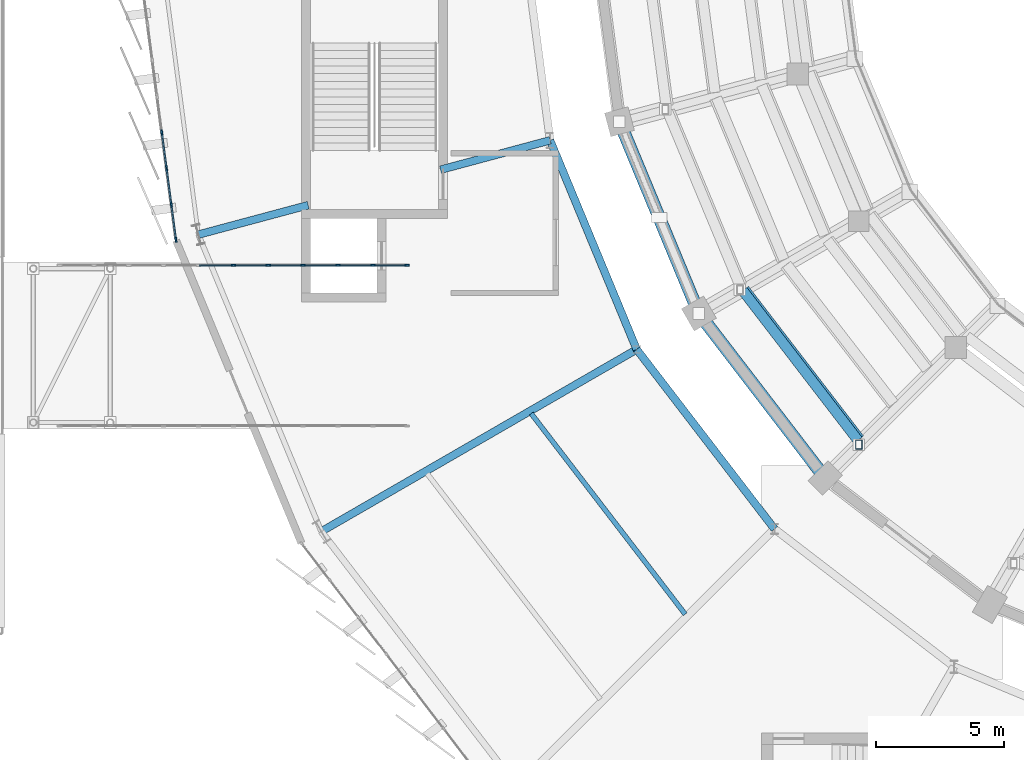
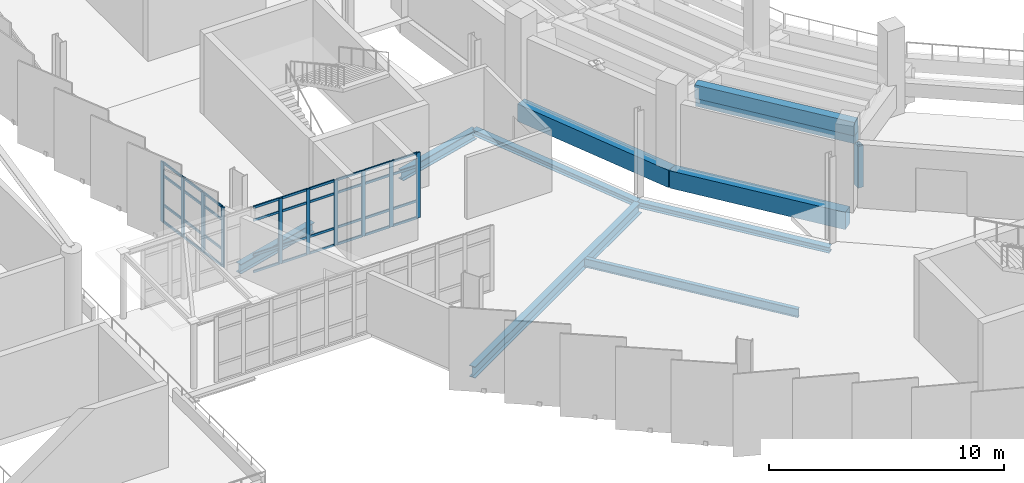
# One storey, part 29 of 120: 47 members, 10 beams, 2 elements without a shape of their own.
"""IFC4 building model written with IfcOpenShell, lengths in metres."""

from ifc_helpers import new_model, si_unit, direction, frame, origin, origin_2d, place, context, subcontext, project, spatial, rectangle, hollow_rectangle, i_section, extrude, material, layer, layer_set, material_profile, profile_set, type_object, element, aggregate, save


model = new_model("IFC4")

# Units and contexts
model_context = context("Model", 3, precision=1e-05, world=origin(), true_north=direction((0.0, 1.0)))
body_context = subcontext(model_context, "Body", "Model", "MODEL_VIEW")
ifc_project = project(units=[si_unit("LENGTHUNIT", "METRE"), si_unit("AREAUNIT", "SQUARE_METRE"), si_unit("VOLUMEUNIT", "CUBIC_METRE"), si_unit("PLANEANGLEUNIT", "RADIAN"), si_unit("MASSUNIT", "GRAM", prefix="KILO")], contexts=[model_context])

# Site, building, storey
site_placement = place(None, origin())
site = spatial("IfcSite", under=ifc_project, at=site_placement, CompositionType="ELEMENT")
building_placement = place(site_placement, origin())
building = spatial("IfcBuilding", under=site, at=building_placement, Name="Sohan Crest Arena", CompositionType="ELEMENT")
storey_placement = place(building_placement, frame((0.0, 0.0, 13.5)))
storey = spatial("IfcBuildingStorey", under=building, at=storey_placement, Name="L03", CompositionType="ELEMENT", Elevation=13.5)

# Curtain wall, members
ifc_material_1 = material(Name="Thermally broken anodised aluminium", Category="aluminium")
ifc_layer_1 = layer(ifc_material_1, 0.18994140625, Name="Thermally broken anodised aluminium")
ifc_layer_set_1 = layer_set([ifc_layer_1], Name="Thermally broken anodised aluminium")
curtain_wall_type_1 = type_object("IfcCurtainWallType", Name="ARC-CW05", PredefinedType="NOTDEFINED", material=ifc_layer_set_1)
curtain_wall_1_placement = place(storey_placement, origin())
curtain_wall_1 = element("IfcCurtainWall", 1, at=curtain_wall_1_placement, inside=storey, type_object=curtain_wall_type_1, Name="Unitised curtain wall CW-230", PredefinedType="NOTDEFINED")
ifc_material_profile_1 = material_profile(ifc_material_1, rectangle(XDim=0.06494140625, YDim=0.179931640625, at=origin_2d()), Name="ALU-MULL 65x180")
ifc_profile_set_1 = profile_set([ifc_material_profile_1], Name="Thermally broken anodised aluminium")
member_type_1 = type_object("IfcMemberType", Name="ARC-CW-ML02", PredefinedType="MULLION", material=ifc_profile_set_1)
member_1_placement = place(storey_placement, frame((53.0, 64.3798828125, 0.0), z_axis=(0.0, 0.0, 1.0), x_axis=(0.0, 1.0, 0.0)))
member_1 = element("IfcMember", 2, at=member_1_placement, type_object=member_type_1, Name="CW-230 mullion 6", PredefinedType="MULLION", context=body_context, shape_type="SweptSolid", body=[
    extrude(rectangle(XDim=0.06494140625, YDim=0.179931640625, at=origin_2d()), origin(), (0.0, 0.0, 1.0), 3.39990234375),
])
member_2_placement = place(storey_placement, frame((54.360107421875, 64.3798828125, 0.0), z_axis=(0.0, 0.0, 1.0), x_axis=(0.0, 1.0, 0.0)))
member_2 = element("IfcMember", 3, at=member_2_placement, type_object=member_type_1, Name="CW-230 mullion 7", PredefinedType="MULLION", context=body_context, shape_type="SweptSolid", body=[
    extrude(rectangle(XDim=0.06494140625, YDim=0.179931640625, at=origin_2d()), origin(), (0.0, 0.0, 1.0), 3.39990234375),
])
member_3_placement = place(storey_placement, frame((55.719970703125, 64.3798828125, 0.0), z_axis=(0.0, 0.0, 1.0), x_axis=(0.0, 1.0, 0.0)))
member_3 = element("IfcMember", 4, at=member_3_placement, type_object=member_type_1, Name="CW-230 mullion 8", PredefinedType="MULLION", context=body_context, shape_type="SweptSolid", body=[
    extrude(rectangle(XDim=0.06494140625, YDim=0.179931640625, at=origin_2d()), origin(), (0.0, 0.0, 1.0), 3.39990234375),
])
member_4_placement = place(storey_placement, frame((57.080078125, 64.3798828125, 0.0), z_axis=(0.0, 0.0, 1.0), x_axis=(0.0, 1.0, 0.0)))
member_4 = element("IfcMember", 5, at=member_4_placement, type_object=member_type_1, Name="CW-230 mullion 9", PredefinedType="MULLION", context=body_context, shape_type="SweptSolid", body=[
    extrude(rectangle(XDim=0.06494140625, YDim=0.179931640625, at=origin_2d()), origin(), (0.0, 0.0, 1.0), 3.39990234375),
])
member_5_placement = place(storey_placement, frame((58.43994140625, 64.3798828125, 0.0), z_axis=(0.0, 0.0, 1.0), x_axis=(0.0, 1.0, 0.0)))
member_5 = element("IfcMember", 6, at=member_5_placement, type_object=member_type_1, Name="CW-230 mullion 10", PredefinedType="MULLION", context=body_context, shape_type="SweptSolid", body=[
    extrude(rectangle(XDim=0.06494140625, YDim=0.179931640625, at=origin_2d()), origin(), (0.0, 0.0, 1.0), 3.39990234375),
])
member_6_placement = place(storey_placement, frame((59.767578125, 64.3798828125, 0.0), z_axis=(0.0, 0.0, 1.0), x_axis=(0.0, 1.0, 0.0)))
member_6 = element("IfcMember", 7, at=member_6_placement, type_object=member_type_1, Name="CW-230 mullion 11", PredefinedType="MULLION", context=body_context, shape_type="SweptSolid", body=[
    extrude(rectangle(XDim=0.06494140625, YDim=0.179931640625, at=origin_2d()), origin(), (0.0, 0.0, 1.0), 3.39990234375),
])

ifc_layer_2 = layer(ifc_material_1, 0.179931640625, Name="Thermally broken anodised aluminium")
ifc_layer_set_2 = layer_set([ifc_layer_2], Name="Thermally broken anodised aluminium")
curtain_wall_type_2 = type_object("IfcCurtainWallType", Name="ARC-CW01", PredefinedType="NOTDEFINED", material=ifc_layer_set_2)
curtain_wall_2_placement = place(storey_placement, origin())
curtain_wall_2 = element("IfcCurtainWall", 8, at=curtain_wall_2_placement, inside=storey, type_object=curtain_wall_type_2, Name="Unitised curtain wall CW-085", PredefinedType="NOTDEFINED")
ifc_material_profile_2 = material_profile(ifc_material_1, rectangle(XDim=0.070068359375, YDim=0.199951171875, at=origin_2d()), Name="ALU-MULL 70x200")
ifc_profile_set_2 = profile_set([ifc_material_profile_2], Name="Thermally broken anodised aluminium")
member_type_2 = type_object("IfcMemberType", Name="ARC-CW-ML03", PredefinedType="MULLION", material=ifc_profile_set_2)
member_7_placement = place(storey_placement, frame((50.210693359375, 69.562744140625, 0.0), z_axis=(0.0, 0.0, 1.0), x_axis=(0.991446828069, 0.130511252817, 0.0)))
member_7 = element("IfcMember", 9, at=member_7_placement, type_object=member_type_2, Name="CW-085 mullion 7", PredefinedType="MULLION", context=body_context, shape_type="SweptSolid", body=[
    extrude(rectangle(XDim=0.070068359375, YDim=0.199951171875, at=origin_2d()), origin(), (0.0, 0.0, 1.0), 3.1201171875),
])
member_8_placement = place(storey_placement, frame((50.395751953125, 68.156494140625, 0.0), z_axis=(0.0, 0.0, 1.0), x_axis=(0.991446828069, 0.130511252817, 0.0)))
member_8 = element("IfcMember", 10, at=member_8_placement, type_object=member_type_2, Name="CW-085 mullion 8", PredefinedType="MULLION", context=body_context, shape_type="SweptSolid", body=[
    extrude(rectangle(XDim=0.070068359375, YDim=0.199951171875, at=origin_2d()), origin(), (0.0, 0.0, 1.0), 3.1201171875),
])
member_9_placement = place(storey_placement, frame((50.580810546875, 66.750244140625, 0.0), z_axis=(0.0, 0.0, 1.0), x_axis=(0.991446828069, 0.130511252817, 0.0)))
member_9 = element("IfcMember", 11, at=member_9_placement, type_object=member_type_2, Name="CW-085 mullion 9", PredefinedType="MULLION", context=body_context, shape_type="SweptSolid", body=[
    extrude(rectangle(XDim=0.070068359375, YDim=0.199951171875, at=origin_2d()), origin(), (0.0, 0.0, 1.0), 3.1201171875),
])
member_10_placement = place(storey_placement, frame((50.761474609375, 65.378662109375, 0.0), z_axis=(0.0, 0.0, 1.0), x_axis=(0.991446828069, 0.130511252817, 0.0)))
member_10 = element("IfcMember", 12, at=member_10_placement, type_object=member_type_2, Name="CW-085 mullion 10", PredefinedType="MULLION", context=body_context, shape_type="SweptSolid", body=[
    extrude(rectangle(XDim=0.070068359375, YDim=0.199951171875, at=origin_2d()), origin(), (0.0, 0.0, 1.0), 3.1201171875),
])
ifc_material_profile_3 = material_profile(ifc_material_1, rectangle(XDim=0.06005859375, YDim=0.1201171875, at=origin_2d()), Name="ALU-TRAN 60x120")
ifc_profile_set_3 = profile_set([ifc_material_profile_3], Name="Thermally broken anodised aluminium")
member_type_3 = type_object("IfcMemberType", Name="ARC-CW-TR01", PredefinedType="USERDEFINED", material=ifc_profile_set_3)
member_11_placement = place(storey_placement, frame((50.21533203125, 69.528076171875, 0.030029296875), z_axis=(0.13036084071, -0.991466616286, 0.0), x_axis=(0.991466616286, 0.13036084071, 0.0)))
member_11 = element("IfcMember", 13, at=member_11_placement, type_object=member_type_3, Name="CW-085 transom 7.1", ObjectType="TRANSOM", PredefinedType="USERDEFINED", context=body_context, shape_type="SweptSolid", body=[
    extrude(rectangle(XDim=0.06005859375, YDim=0.1201171875, at=origin_2d()), origin(), (0.0, 0.0, 1.0), 1.348388671875),
])
member_12_placement = place(storey_placement, frame((50.21533203125, 69.528076171875, 0.89990234375), z_axis=(0.13036084071, -0.991466616286, 0.0), x_axis=(0.991466616286, 0.13036084071, 0.0)))
member_12 = element("IfcMember", 14, at=member_12_placement, type_object=member_type_3, Name="CW-085 transom 7.2", ObjectType="TRANSOM", PredefinedType="USERDEFINED", context=body_context, shape_type="SweptSolid", body=[
    extrude(rectangle(XDim=0.06005859375, YDim=0.1201171875, at=origin_2d()), origin(), (0.0, 0.0, 1.0), 1.348388671875),
])
member_13_placement = place(storey_placement, frame((50.21533203125, 69.528076171875, 2.419921875), z_axis=(0.13036084071, -0.991466616286, 0.0), x_axis=(0.991466616286, 0.13036084071, 0.0)))
member_13 = element("IfcMember", 15, at=member_13_placement, type_object=member_type_3, Name="CW-085 transom 7.3", ObjectType="TRANSOM", PredefinedType="USERDEFINED", context=body_context, shape_type="SweptSolid", body=[
    extrude(rectangle(XDim=0.06005859375, YDim=0.1201171875, at=origin_2d()), origin(), (0.0, 0.0, 1.0), 1.348388671875),
])
member_14_placement = place(storey_placement, frame((50.21533203125, 69.528076171875, 3.090087890625), z_axis=(0.13036084071, -0.991466616286, 0.0), x_axis=(0.991466616286, 0.13036084071, 0.0)))
member_14 = element("IfcMember", 16, at=member_14_placement, type_object=member_type_3, Name="CW-085 transom 7.4", ObjectType="TRANSOM", PredefinedType="USERDEFINED", context=body_context, shape_type="SweptSolid", body=[
    extrude(rectangle(XDim=0.06005859375, YDim=0.1201171875, at=origin_2d()), origin(), (0.0, 0.0, 1.0), 1.348388671875),
])
member_15_placement = place(storey_placement, frame((50.400390625, 68.121826171875, 0.030029296875), z_axis=(0.13053881426, -0.991443199569, 0.0), x_axis=(0.991443199569, 0.13053881426, 0.0)))
member_15 = element("IfcMember", 17, at=member_15_placement, type_object=member_type_3, Name="CW-085 transom 8.1", ObjectType="TRANSOM", PredefinedType="USERDEFINED", context=body_context, shape_type="SweptSolid", body=[
    extrude(rectangle(XDim=0.06005859375, YDim=0.1201171875, at=origin_2d()), origin(), (0.0, 0.0, 1.0), 1.348388671875),
])
member_16_placement = place(storey_placement, frame((50.400390625, 68.121826171875, 0.89990234375), z_axis=(0.13053881426, -0.991443199569, 0.0), x_axis=(0.991443199569, 0.13053881426, 0.0)))
member_16 = element("IfcMember", 18, at=member_16_placement, type_object=member_type_3, Name="CW-085 transom 8.2", ObjectType="TRANSOM", PredefinedType="USERDEFINED", context=body_context, shape_type="SweptSolid", body=[
    extrude(rectangle(XDim=0.06005859375, YDim=0.1201171875, at=origin_2d()), origin(), (0.0, 0.0, 1.0), 1.348388671875),
])
member_17_placement = place(storey_placement, frame((50.400390625, 68.121826171875, 2.419921875), z_axis=(0.13053881426, -0.991443199569, 0.0), x_axis=(0.991443199569, 0.13053881426, 0.0)))
member_17 = element("IfcMember", 19, at=member_17_placement, type_object=member_type_3, Name="CW-085 transom 8.3", ObjectType="TRANSOM", PredefinedType="USERDEFINED", context=body_context, shape_type="SweptSolid", body=[
    extrude(rectangle(XDim=0.06005859375, YDim=0.1201171875, at=origin_2d()), origin(), (0.0, 0.0, 1.0), 1.348388671875),
])
member_18_placement = place(storey_placement, frame((50.400390625, 68.121826171875, 3.090087890625), z_axis=(0.13053881426, -0.991443199569, 0.0), x_axis=(0.991443199569, 0.13053881426, 0.0)))
member_18 = element("IfcMember", 20, at=member_18_placement, type_object=member_type_3, Name="CW-085 transom 8.4", ObjectType="TRANSOM", PredefinedType="USERDEFINED", context=body_context, shape_type="SweptSolid", body=[
    extrude(rectangle(XDim=0.06005859375, YDim=0.1201171875, at=origin_2d()), origin(), (0.0, 0.0, 1.0), 1.348388671875),
])
member_19_placement = place(storey_placement, frame((50.58544921875, 66.715576171875, 0.030029296875), z_axis=(0.130483361537, -0.991450499199, 0.0), x_axis=(0.991450499199, 0.130483361537, 0.0)))
member_19 = element("IfcMember", 21, at=member_19_placement, type_object=member_type_3, Name="CW-085 transom 9.1", ObjectType="TRANSOM", PredefinedType="USERDEFINED", context=body_context, shape_type="SweptSolid", body=[
    extrude(rectangle(XDim=0.06005859375, YDim=0.1201171875, at=origin_2d()), origin(), (0.0, 0.0, 1.0), 1.3134765625),
])
member_20_placement = place(storey_placement, frame((50.58544921875, 66.715576171875, 0.89990234375), z_axis=(0.130483361537, -0.991450499199, 0.0), x_axis=(0.991450499199, 0.130483361537, 0.0)))
member_20 = element("IfcMember", 22, at=member_20_placement, type_object=member_type_3, Name="CW-085 transom 9.2", ObjectType="TRANSOM", PredefinedType="USERDEFINED", context=body_context, shape_type="SweptSolid", body=[
    extrude(rectangle(XDim=0.06005859375, YDim=0.1201171875, at=origin_2d()), origin(), (0.0, 0.0, 1.0), 1.3134765625),
])
member_21_placement = place(storey_placement, frame((50.58544921875, 66.715576171875, 2.419921875), z_axis=(0.130483361537, -0.991450499199, 0.0), x_axis=(0.991450499199, 0.130483361537, 0.0)))
member_21 = element("IfcMember", 23, at=member_21_placement, type_object=member_type_3, Name="CW-085 transom 9.3", ObjectType="TRANSOM", PredefinedType="USERDEFINED", context=body_context, shape_type="SweptSolid", body=[
    extrude(rectangle(XDim=0.06005859375, YDim=0.1201171875, at=origin_2d()), origin(), (0.0, 0.0, 1.0), 1.3134765625),
])
member_22_placement = place(storey_placement, frame((50.58544921875, 66.715576171875, 3.090087890625), z_axis=(0.130483361537, -0.991450499199, 0.0), x_axis=(0.991450499199, 0.130483361537, 0.0)))
member_22 = element("IfcMember", 24, at=member_22_placement, type_object=member_type_3, Name="CW-085 transom 9.4", ObjectType="TRANSOM", PredefinedType="USERDEFINED", context=body_context, shape_type="SweptSolid", body=[
    extrude(rectangle(XDim=0.06005859375, YDim=0.1201171875, at=origin_2d()), origin(), (0.0, 0.0, 1.0), 1.3134765625),
])
aggregate(curtain_wall_2, [member_7, member_8, member_9, member_10, member_11, member_12, member_13, member_14, member_15, member_16, member_17, member_18, member_19, member_20, member_21, member_22])

# Member
member_23_placement = place(storey_placement, frame((51.672607421875, 64.3798828125, 0.030029296875), z_axis=(1.0, 0.0, 0.0), x_axis=(0.0, 1.0, 0.0)))
member_23 = element("IfcMember", 25, at=member_23_placement, type_object=member_type_3, Name="CW-230 transom 5.1", ObjectType="TRANSOM", PredefinedType="USERDEFINED", context=body_context, shape_type="SweptSolid", body=[
    extrude(rectangle(XDim=0.06005859375, YDim=0.1201171875, at=origin_2d()), origin(), (0.0, 0.0, 1.0), 1.294921875),
])

member_24_placement = place(storey_placement, frame((51.672607421875, 64.3798828125, 0.89990234375), z_axis=(1.0, 0.0, 0.0), x_axis=(0.0, 1.0, 0.0)))
member_24 = element("IfcMember", 26, at=member_24_placement, type_object=member_type_3, Name="CW-230 transom 5.2", ObjectType="TRANSOM", PredefinedType="USERDEFINED", context=body_context, shape_type="SweptSolid", body=[
    extrude(rectangle(XDim=0.06005859375, YDim=0.1201171875, at=origin_2d()), origin(), (0.0, 0.0, 1.0), 1.294921875),
])

member_25_placement = place(storey_placement, frame((51.672607421875, 64.3798828125, 2.699951171875), z_axis=(1.0, 0.0, 0.0), x_axis=(0.0, 1.0, 0.0)))
member_25 = element("IfcMember", 27, at=member_25_placement, type_object=member_type_3, Name="CW-230 transom 5.3", ObjectType="TRANSOM", PredefinedType="USERDEFINED", context=body_context, shape_type="SweptSolid", body=[
    extrude(rectangle(XDim=0.06005859375, YDim=0.1201171875, at=origin_2d()), origin(), (0.0, 0.0, 1.0), 1.294921875),
])

member_26_placement = place(storey_placement, frame((51.672607421875, 64.3798828125, 3.3701171875), z_axis=(1.0, 0.0, 0.0), x_axis=(0.0, 1.0, 0.0)))
member_26 = element("IfcMember", 28, at=member_26_placement, type_object=member_type_3, Name="CW-230 transom 5.4", ObjectType="TRANSOM", PredefinedType="USERDEFINED", context=body_context, shape_type="SweptSolid", body=[
    extrude(rectangle(XDim=0.06005859375, YDim=0.1201171875, at=origin_2d()), origin(), (0.0, 0.0, 1.0), 1.294921875),
])

member_27_placement = place(storey_placement, frame((53.032470703125, 64.3798828125, 0.030029296875), z_axis=(1.0, 0.0, 0.0), x_axis=(0.0, 1.0, 0.0)))
member_27 = element("IfcMember", 29, at=member_27_placement, type_object=member_type_3, Name="CW-230 transom 6.1", ObjectType="TRANSOM", PredefinedType="USERDEFINED", context=body_context, shape_type="SweptSolid", body=[
    extrude(rectangle(XDim=0.06005859375, YDim=0.1201171875, at=origin_2d()), origin(), (0.0, 0.0, 1.0), 1.294921875),
])

member_28_placement = place(storey_placement, frame((53.032470703125, 64.3798828125, 0.89990234375), z_axis=(1.0, 0.0, 0.0), x_axis=(0.0, 1.0, 0.0)))
member_28 = element("IfcMember", 30, at=member_28_placement, type_object=member_type_3, Name="CW-230 transom 6.2", ObjectType="TRANSOM", PredefinedType="USERDEFINED", context=body_context, shape_type="SweptSolid", body=[
    extrude(rectangle(XDim=0.06005859375, YDim=0.1201171875, at=origin_2d()), origin(), (0.0, 0.0, 1.0), 1.294921875),
])

member_29_placement = place(storey_placement, frame((53.032470703125, 64.3798828125, 2.699951171875), z_axis=(1.0, 0.0, 0.0), x_axis=(0.0, 1.0, 0.0)))
member_29 = element("IfcMember", 31, at=member_29_placement, type_object=member_type_3, Name="CW-230 transom 6.3", ObjectType="TRANSOM", PredefinedType="USERDEFINED", context=body_context, shape_type="SweptSolid", body=[
    extrude(rectangle(XDim=0.06005859375, YDim=0.1201171875, at=origin_2d()), origin(), (0.0, 0.0, 1.0), 1.294921875),
])

member_30_placement = place(storey_placement, frame((53.032470703125, 64.3798828125, 3.3701171875), z_axis=(1.0, 0.0, 0.0), x_axis=(0.0, 1.0, 0.0)))
member_30 = element("IfcMember", 32, at=member_30_placement, type_object=member_type_3, Name="CW-230 transom 6.4", ObjectType="TRANSOM", PredefinedType="USERDEFINED", context=body_context, shape_type="SweptSolid", body=[
    extrude(rectangle(XDim=0.06005859375, YDim=0.1201171875, at=origin_2d()), origin(), (0.0, 0.0, 1.0), 1.294921875),
])

member_31_placement = place(storey_placement, frame((54.392578125, 64.3798828125, 0.030029296875), z_axis=(1.0, 0.0, 0.0), x_axis=(0.0, 1.0, 0.0)))
member_31 = element("IfcMember", 33, at=member_31_placement, type_object=member_type_3, Name="CW-230 transom 7.1", ObjectType="TRANSOM", PredefinedType="USERDEFINED", context=body_context, shape_type="SweptSolid", body=[
    extrude(rectangle(XDim=0.06005859375, YDim=0.1201171875, at=origin_2d()), origin(), (0.0, 0.0, 1.0), 1.294921875),
])

member_32_placement = place(storey_placement, frame((54.392578125, 64.3798828125, 0.89990234375), z_axis=(1.0, 0.0, 0.0), x_axis=(0.0, 1.0, 0.0)))
member_32 = element("IfcMember", 34, at=member_32_placement, type_object=member_type_3, Name="CW-230 transom 7.2", ObjectType="TRANSOM", PredefinedType="USERDEFINED", context=body_context, shape_type="SweptSolid", body=[
    extrude(rectangle(XDim=0.06005859375, YDim=0.1201171875, at=origin_2d()), origin(), (0.0, 0.0, 1.0), 1.294921875),
])

member_33_placement = place(storey_placement, frame((54.392578125, 64.3798828125, 2.699951171875), z_axis=(1.0, 0.0, 0.0), x_axis=(0.0, 1.0, 0.0)))
member_33 = element("IfcMember", 35, at=member_33_placement, type_object=member_type_3, Name="CW-230 transom 7.3", ObjectType="TRANSOM", PredefinedType="USERDEFINED", context=body_context, shape_type="SweptSolid", body=[
    extrude(rectangle(XDim=0.06005859375, YDim=0.1201171875, at=origin_2d()), origin(), (0.0, 0.0, 1.0), 1.294921875),
])

member_34_placement = place(storey_placement, frame((54.392578125, 64.3798828125, 3.3701171875), z_axis=(1.0, 0.0, 0.0), x_axis=(0.0, 1.0, 0.0)))
member_34 = element("IfcMember", 36, at=member_34_placement, type_object=member_type_3, Name="CW-230 transom 7.4", ObjectType="TRANSOM", PredefinedType="USERDEFINED", context=body_context, shape_type="SweptSolid", body=[
    extrude(rectangle(XDim=0.06005859375, YDim=0.1201171875, at=origin_2d()), origin(), (0.0, 0.0, 1.0), 1.294921875),
])

member_35_placement = place(storey_placement, frame((55.75244140625, 64.3798828125, 0.030029296875), z_axis=(1.0, 0.0, 0.0), x_axis=(0.0, 1.0, 0.0)))
member_35 = element("IfcMember", 37, at=member_35_placement, type_object=member_type_3, Name="CW-230 transom 8.1", ObjectType="TRANSOM", PredefinedType="USERDEFINED", context=body_context, shape_type="SweptSolid", body=[
    extrude(rectangle(XDim=0.06005859375, YDim=0.1201171875, at=origin_2d()), origin(), (0.0, 0.0, 1.0), 1.295166015625),
])

member_36_placement = place(storey_placement, frame((55.75244140625, 64.3798828125, 0.89990234375), z_axis=(1.0, 0.0, 0.0), x_axis=(0.0, 1.0, 0.0)))
member_36 = element("IfcMember", 38, at=member_36_placement, type_object=member_type_3, Name="CW-230 transom 8.2", ObjectType="TRANSOM", PredefinedType="USERDEFINED", context=body_context, shape_type="SweptSolid", body=[
    extrude(rectangle(XDim=0.06005859375, YDim=0.1201171875, at=origin_2d()), origin(), (0.0, 0.0, 1.0), 1.295166015625),
])

member_37_placement = place(storey_placement, frame((55.75244140625, 64.3798828125, 2.699951171875), z_axis=(1.0, 0.0, 0.0), x_axis=(0.0, 1.0, 0.0)))
member_37 = element("IfcMember", 39, at=member_37_placement, type_object=member_type_3, Name="CW-230 transom 8.3", ObjectType="TRANSOM", PredefinedType="USERDEFINED", context=body_context, shape_type="SweptSolid", body=[
    extrude(rectangle(XDim=0.06005859375, YDim=0.1201171875, at=origin_2d()), origin(), (0.0, 0.0, 1.0), 1.295166015625),
])

member_38_placement = place(storey_placement, frame((55.75244140625, 64.3798828125, 3.3701171875), z_axis=(1.0, 0.0, 0.0), x_axis=(0.0, 1.0, 0.0)))
member_38 = element("IfcMember", 40, at=member_38_placement, type_object=member_type_3, Name="CW-230 transom 8.4", ObjectType="TRANSOM", PredefinedType="USERDEFINED", context=body_context, shape_type="SweptSolid", body=[
    extrude(rectangle(XDim=0.06005859375, YDim=0.1201171875, at=origin_2d()), origin(), (0.0, 0.0, 1.0), 1.295166015625),
])

member_39_placement = place(storey_placement, frame((57.112548828125, 64.3798828125, 0.030029296875), z_axis=(1.0, 0.0, 0.0), x_axis=(0.0, 1.0, 0.0)))
member_39 = element("IfcMember", 41, at=member_39_placement, type_object=member_type_3, Name="CW-230 transom 9.1", ObjectType="TRANSOM", PredefinedType="USERDEFINED", context=body_context, shape_type="SweptSolid", body=[
    extrude(rectangle(XDim=0.06005859375, YDim=0.1201171875, at=origin_2d()), origin(), (0.0, 0.0, 1.0), 1.294921875),
])

member_40_placement = place(storey_placement, frame((57.112548828125, 64.3798828125, 0.89990234375), z_axis=(1.0, 0.0, 0.0), x_axis=(0.0, 1.0, 0.0)))
member_40 = element("IfcMember", 42, at=member_40_placement, type_object=member_type_3, Name="CW-230 transom 9.2", ObjectType="TRANSOM", PredefinedType="USERDEFINED", context=body_context, shape_type="SweptSolid", body=[
    extrude(rectangle(XDim=0.06005859375, YDim=0.1201171875, at=origin_2d()), origin(), (0.0, 0.0, 1.0), 1.294921875),
])

member_41_placement = place(storey_placement, frame((57.112548828125, 64.3798828125, 2.699951171875), z_axis=(1.0, 0.0, 0.0), x_axis=(0.0, 1.0, 0.0)))
member_41 = element("IfcMember", 43, at=member_41_placement, type_object=member_type_3, Name="CW-230 transom 9.3", ObjectType="TRANSOM", PredefinedType="USERDEFINED", context=body_context, shape_type="SweptSolid", body=[
    extrude(rectangle(XDim=0.06005859375, YDim=0.1201171875, at=origin_2d()), origin(), (0.0, 0.0, 1.0), 1.294921875),
])

member_42_placement = place(storey_placement, frame((57.112548828125, 64.3798828125, 3.3701171875), z_axis=(1.0, 0.0, 0.0), x_axis=(0.0, 1.0, 0.0)))
member_42 = element("IfcMember", 44, at=member_42_placement, type_object=member_type_3, Name="CW-230 transom 9.4", ObjectType="TRANSOM", PredefinedType="USERDEFINED", context=body_context, shape_type="SweptSolid", body=[
    extrude(rectangle(XDim=0.06005859375, YDim=0.1201171875, at=origin_2d()), origin(), (0.0, 0.0, 1.0), 1.294921875),
])

member_43_placement = place(storey_placement, frame((58.472412109375, 64.3798828125, 0.030029296875), z_axis=(1.0, 0.0, 0.0), x_axis=(0.0, 1.0, 0.0)))
member_43 = element("IfcMember", 45, at=member_43_placement, type_object=member_type_3, Name="CW-230 transom 10.1", ObjectType="TRANSOM", PredefinedType="USERDEFINED", context=body_context, shape_type="SweptSolid", body=[
    extrude(rectangle(XDim=0.06005859375, YDim=0.1201171875, at=origin_2d()), origin(), (0.0, 0.0, 1.0), 1.2626953125),
])

member_44_placement = place(storey_placement, frame((58.472412109375, 64.3798828125, 0.89990234375), z_axis=(1.0, 0.0, 0.0), x_axis=(0.0, 1.0, 0.0)))
member_44 = element("IfcMember", 46, at=member_44_placement, type_object=member_type_3, Name="CW-230 transom 10.2", ObjectType="TRANSOM", PredefinedType="USERDEFINED", context=body_context, shape_type="SweptSolid", body=[
    extrude(rectangle(XDim=0.06005859375, YDim=0.1201171875, at=origin_2d()), origin(), (0.0, 0.0, 1.0), 1.2626953125),
])

member_45_placement = place(storey_placement, frame((58.472412109375, 64.3798828125, 2.699951171875), z_axis=(1.0, 0.0, 0.0), x_axis=(0.0, 1.0, 0.0)))
member_45 = element("IfcMember", 47, at=member_45_placement, type_object=member_type_3, Name="CW-230 transom 10.3", ObjectType="TRANSOM", PredefinedType="USERDEFINED", context=body_context, shape_type="SweptSolid", body=[
    extrude(rectangle(XDim=0.06005859375, YDim=0.1201171875, at=origin_2d()), origin(), (0.0, 0.0, 1.0), 1.2626953125),
])

member_46_placement = place(storey_placement, frame((58.472412109375, 64.3798828125, 3.3701171875), z_axis=(1.0, 0.0, 0.0), x_axis=(0.0, 1.0, 0.0)))
member_46 = element("IfcMember", 48, at=member_46_placement, type_object=member_type_3, Name="CW-230 transom 10.4", ObjectType="TRANSOM", PredefinedType="USERDEFINED", context=body_context, shape_type="SweptSolid", body=[
    extrude(rectangle(XDim=0.06005859375, YDim=0.1201171875, at=origin_2d()), origin(), (0.0, 0.0, 1.0), 1.2626953125),
])

aggregate(curtain_wall_1, [member_1, member_2, member_3, member_4, member_5, member_6, member_23, member_24, member_25, member_26, member_27, member_28, member_29, member_30, member_31, member_32, member_33, member_34, member_35, member_36, member_37, member_38, member_39, member_40, member_41, member_42, member_43, member_44, member_45, member_46])

# Beams
ifc_material_2 = material(Name="Steel S355", Category="steel")
ifc_material_profile_4 = material_profile(ifc_material_2, i_section(OverallWidth=0.18994140625, OverallDepth=0.449951171875, WebThickness=0.009521484375, FlangeThickness=0.0146484375, at=origin_2d()), Name="IPE 450")
ifc_profile_set_4 = profile_set([ifc_material_profile_4], Name="Steel S355")
beam_type_1 = type_object("IfcBeamType", Name="STR-BM-B04", PredefinedType="JOIST", material=ifc_profile_set_4)
beam_1_placement = place(storey_placement, frame((64.614013671875, 58.59912109375, -0.47509765625), z_axis=(0.608739091659, -0.793370479843, 0.0), x_axis=(0.793370479843, 0.608739091659, 0.0)))
element("IfcBeam", 49, at=beam_1_placement, inside=storey, type_object=beam_type_1, Name="Structural beam J-L03-1433", PredefinedType="JOIST", context=body_context, shape_type="SweptSolid", body=[
    extrude(i_section(OverallWidth=0.18994140625, OverallDepth=0.449951171875, WebThickness=0.009521484375, FlangeThickness=0.0146484375, at=origin_2d()), origin(), (0.0, 0.0, 1.0), 9.864501953125),
])
ifc_material_profile_5 = material_profile(ifc_material_2, i_section(OverallWidth=0.300048828125, OverallDepth=0.590087890625, WebThickness=0.012939453125, FlangeThickness=0.02490234375, at=origin_2d()), Name="HEA 600")
ifc_profile_set_5 = profile_set([ifc_material_profile_5], Name="Steel S355")
beam_type_2 = type_object("IfcBeamType", Name="STR-BM-B11", PredefinedType="BEAM", material=ifc_profile_set_5)
beam_2_placement = place(storey_placement, frame((68.72802734375, 61.10009765625, -0.544921875), z_axis=(-0.86601465089, -0.500018624098, 0.0), x_axis=(0.500018624098, -0.86601465089, 0.0)))
element("IfcBeam", 50, at=beam_2_placement, inside=storey, type_object=beam_type_2, Name="Structural beam G-L03-1430", PredefinedType="BEAM", context=body_context, shape_type="SweptSolid", body=[
    extrude(i_section(OverallWidth=0.300048828125, OverallDepth=0.590087890625, WebThickness=0.012939453125, FlangeThickness=0.02490234375, at=origin_2d()), origin(), (0.0, 0.0, 1.0), 14.19970703125),
])
ifc_material_profile_6 = material_profile(ifc_material_2, i_section(OverallWidth=0.300048828125, OverallDepth=0.300048828125, WebThickness=0.010986328125, FlangeThickness=0.01904296875, at=origin_2d()), Name="HEB 300")
ifc_profile_set_6 = profile_set([ifc_material_profile_6], Name="Steel S355")
beam_type_3 = type_object("IfcBeamType", Name="STR-BM-B12", PredefinedType="BEAM", material=ifc_profile_set_6)
beam_3_placement = place(storey_placement, frame((65.35205078125, 69.251953125, -0.39990234375), z_axis=(0.38262224111, -0.923904876385, 0.0), x_axis=(0.923904876385, 0.38262224111, 0.0)))
element("IfcBeam", 51, at=beam_3_placement, inside=storey, type_object=beam_type_3, Name="Structural beam G-L03-1428", PredefinedType="BEAM", context=body_context, shape_type="SweptSolid", body=[
    extrude(i_section(OverallWidth=0.300048828125, OverallDepth=0.300048828125, WebThickness=0.010986328125, FlangeThickness=0.01904296875, at=origin_2d()), origin(), (0.0, 0.0, 1.0), 8.8232421875),
])
beam_4_placement = place(storey_placement, frame((68.72802734375, 61.10009765625, -0.39990234375), z_axis=(0.608817165336, -0.793310569192, 0.0), x_axis=(0.793310569192, 0.608817165336, 0.0)))
element("IfcBeam", 52, at=beam_4_placement, inside=storey, type_object=beam_type_3, Name="Structural beam G-L03-1431", PredefinedType="BEAM", context=body_context, shape_type="SweptSolid", body=[
    extrude(i_section(OverallWidth=0.300048828125, OverallDepth=0.300048828125, WebThickness=0.010986328125, FlangeThickness=0.01904296875, at=origin_2d()), origin(), (0.0, 0.0, 1.0), 8.82373046875),
])
ifc_material_profile_7 = material_profile(ifc_material_2, i_section(OverallWidth=0.300048828125, OverallDepth=0.5, WebThickness=0.014404296875, FlangeThickness=0.028076171875, at=origin_2d()), Name="HEB 500")
ifc_profile_set_7 = profile_set([ifc_material_profile_7], Name="Steel S355")
beam_type_4 = type_object("IfcBeamType", Name="STR-BM-B14", PredefinedType="BEAM", material=ifc_profile_set_7)
beam_5_placement = place(storey_placement, frame((65.35205078125, 69.251953125, -0.5), z_axis=(-0.965906157738, -0.258892437981, 0.0), x_axis=(0.258892437981, -0.965906157738, 0.0)))
element("IfcBeam", 53, at=beam_5_placement, inside=storey, type_object=beam_type_4, Name="Structural beam G-L03-1426", PredefinedType="BEAM", context=body_context, shape_type="SweptSolid", body=[
    extrude(i_section(OverallWidth=0.300048828125, OverallDepth=0.5, WebThickness=0.014404296875, FlangeThickness=0.028076171875, at=origin_2d()), origin(), (0.0, 0.0, 1.0), 4.4228515625),
])
beam_6_placement = place(storey_placement, frame((55.919921875, 66.72509765625, -0.5), z_axis=(-0.965907995401, -0.258885581716, 0.0), x_axis=(0.258885581716, -0.965907995401, 0.0)))
element("IfcBeam", 54, at=beam_6_placement, inside=storey, type_object=beam_type_4, Name="Structural beam G-L03-1427", PredefinedType="BEAM", context=body_context, shape_type="SweptSolid", body=[
    extrude(i_section(OverallWidth=0.300048828125, OverallDepth=0.5, WebThickness=0.014404296875, FlangeThickness=0.028076171875, at=origin_2d()), origin(), (0.0, 0.0, 1.0), 4.43505859375),
])
ifc_material_3 = material(Name="Concrete C40/50", Category="concrete")
ifc_material_profile_8 = material_profile(ifc_material_3, rectangle(XDim=0.39990234375, YDim=0.699951171875, at=origin_2d()), Name="RC-BM 400x700")
ifc_profile_set_8 = profile_set([ifc_material_profile_8], Name="Concrete C40/50")
beam_type_5 = type_object("IfcBeamType", Name="STR-BM-TB01", PredefinedType="BEAM", material=ifc_profile_set_8)
beam_7_placement = place(storey_placement, frame((72.930908203125, 63.431884765625, 2.236083984375), z_axis=(0.60962725152, -0.792688220049, 0.0), x_axis=(0.792688220049, 0.60962725152, 0.0)))
element("IfcBeam", 55, at=beam_7_placement, inside=storey, type_object=beam_type_5, Name="Upper tier rear stringer TSB-U077B", PredefinedType="BEAM", context=body_context, shape_type="SweptSolid", body=[
    extrude(rectangle(XDim=0.39990234375, YDim=0.699951171875, at=origin_2d()), origin(), (0.0, 0.0, 1.0), 7.34716796875),
])
beam_8_placement = place(storey_placement, frame((72.865966796875, 63.39306640625, 2.696044921875), z_axis=(0.609507332607, -0.792780430824, 0.0), x_axis=(0.792780430824, 0.609507332607, 0.0)))
element("IfcBeam", 56, at=beam_8_placement, inside=storey, type_object=beam_type_5, Name="Upper tier front stringer TSB-U078A", PredefinedType="BEAM", context=body_context, shape_type="SweptSolid", body=[
    extrude(rectangle(XDim=0.39990234375, YDim=0.699951171875, at=origin_2d()), origin(), (0.0, 0.0, 1.0), 7.36669921875),
])
ifc_material_profile_9 = material_profile(ifc_material_3, rectangle(XDim=0.5, YDim=0.89990234375, at=origin_2d()), Name="RC-BM 500x900")
ifc_profile_set_9 = profile_set([ifc_material_profile_9], Name="Concrete C40/50")
beam_type_6 = type_object("IfcBeamType", Name="STR-BM-TB03", PredefinedType="BEAM", material=ifc_profile_set_9)
beam_9_placement = place(storey_placement, frame((68.055908203125, 69.97705078125, -0.699951171875), z_axis=(0.382691039498, -0.923876381497, 0.0), x_axis=(0.923876381497, 0.382691039498, 0.0)))
element("IfcBeam", 57, at=beam_9_placement, inside=storey, type_object=beam_type_6, Name="Structural beam TB-L03-0229", PredefinedType="BEAM", context=body_context, shape_type="SweptSolid", body=[
    extrude(rectangle(XDim=0.5, YDim=0.89990234375, at=origin_2d()), origin(), (0.0, 0.0, 1.0), 8.093017578125),
])
beam_10_placement = place(storey_placement, frame((71.153076171875, 62.5, -0.699951171875), z_axis=(0.608825408167, -0.793304243257, 0.0), x_axis=(0.793304243257, 0.608825408167, 0.0)))
element("IfcBeam", 58, at=beam_10_placement, inside=storey, type_object=beam_type_6, Name="Structural beam TB-L03-0251", PredefinedType="BEAM", context=body_context, shape_type="SweptSolid", body=[
    extrude(rectangle(XDim=0.5, YDim=0.89990234375, at=origin_2d()), origin(), (0.0, 0.0, 1.0), 8.092529296875),
])

# Member
ifc_material_profile_10 = material_profile(ifc_material_2, hollow_rectangle(XDim=0.25, YDim=0.35009765625, WallThickness=0.012451171875, at=origin_2d()), Name="RHS 350x250x12.5")
ifc_profile_set_10 = profile_set([ifc_material_profile_10], Name="Steel S355")
member_type_4 = type_object("IfcMemberType", Name="STR-MEM-CH04", PredefinedType="CHORD", material=ifc_profile_set_10)
member_47_placement = place(storey_placement, frame((77.387939453125, 57.387939453125, -0.260009765625), z_axis=(0.0, 0.0, 1.0), x_axis=(1.0, 0.0, 0.0)))
element("IfcMember", 59, at=member_47_placement, inside=storey, type_object=member_type_4, Name="Upper tier rear raker support post RKP-O10", PredefinedType="CHORD", context=body_context, shape_type="SweptSolid", body=[
    extrude(hollow_rectangle(XDim=0.25, YDim=0.35009765625, WallThickness=0.012451171875, at=origin_2d()), origin(), (0.0, 0.0, 1.0), 2.159912109375),
])

save(model, "model.ifc")
